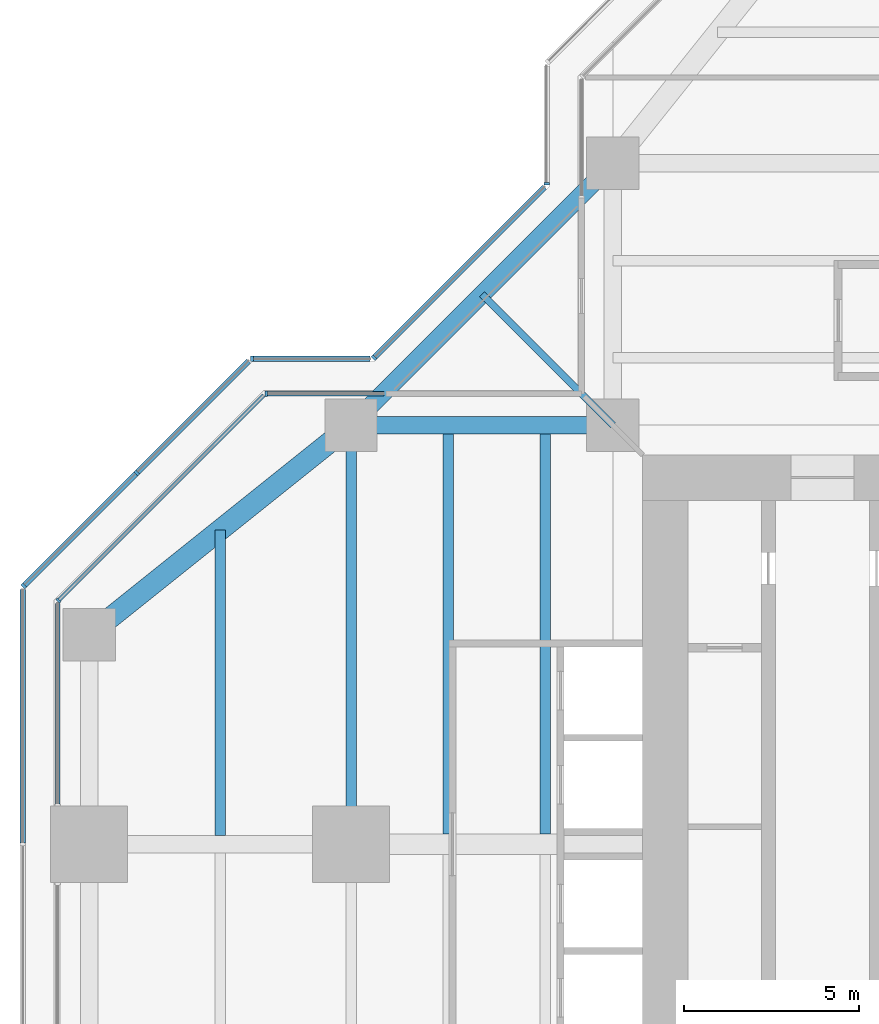
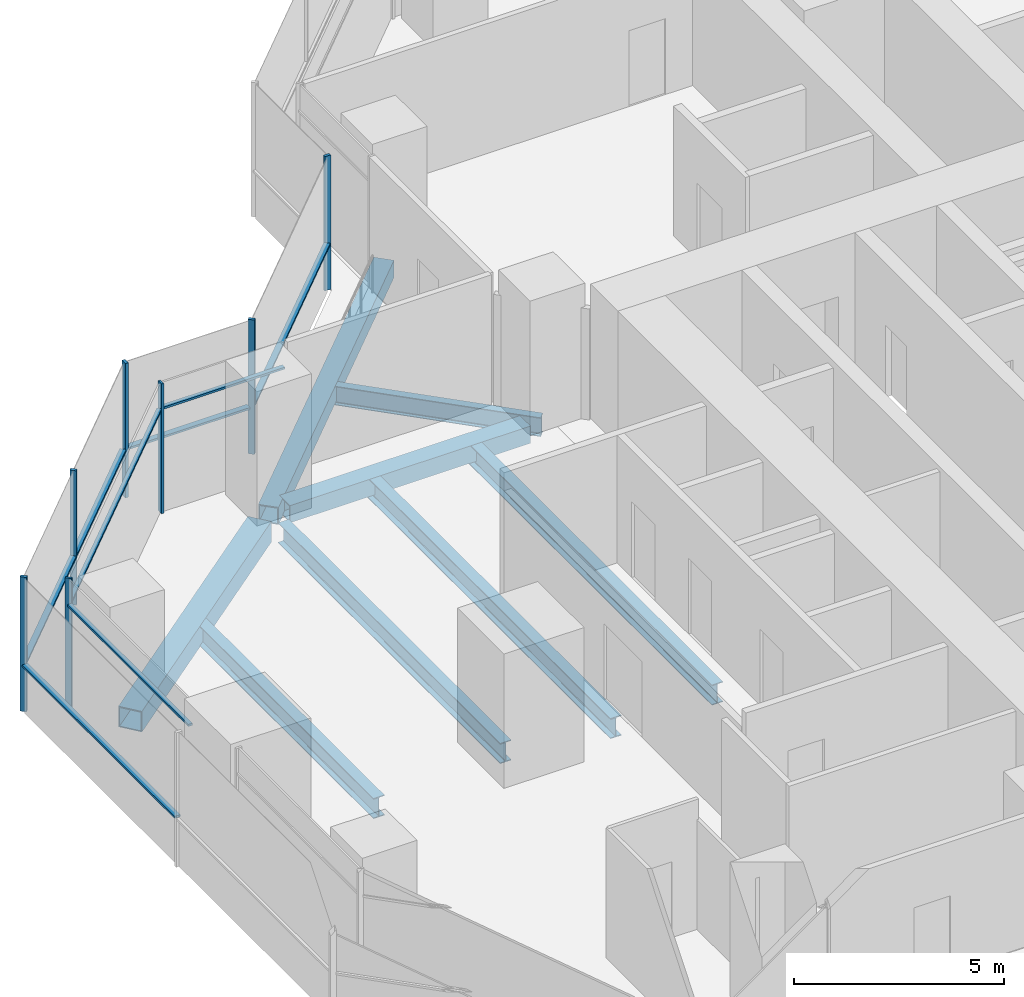
# One storey, part 6 of 17: 15 members, 8 beams, 8 elements without a shape of their own.
"""IFC4 building model written with IfcOpenShell, lengths in metres."""

from ifc_helpers import new_model, si_unit, direction, frame, origin, origin_2d, place, context, subcontext, project, spatial, rectangle, hollow_rectangle, i_section, extrude, material, material_profile, profile_set, type_object, element, aggregate, save


model = new_model("IFC4")

# Units and contexts
model_context = context("Model", 3, precision=1e-05, world=origin(), true_north=direction((0.0, 1.0)))
body_context = subcontext(model_context, "Body", "Model", "MODEL_VIEW")
ifc_project = project(units=[si_unit("LENGTHUNIT", "METRE"), si_unit("AREAUNIT", "SQUARE_METRE"), si_unit("VOLUMEUNIT", "CUBIC_METRE"), si_unit("PLANEANGLEUNIT", "RADIAN"), si_unit("MASSUNIT", "GRAM", prefix="KILO")], contexts=[model_context])

# Site, building, storey
site_placement = place(None, origin())
site = spatial("IfcSite", under=ifc_project, at=site_placement, CompositionType="ELEMENT")
building_placement = place(site_placement, origin())
building = spatial("IfcBuilding", under=site, at=building_placement, Name="Mizan Broadcast Tower", CompositionType="ELEMENT")
storey_placement = place(building_placement, frame((0.0, 0.0, 232.199951171875)))
storey = spatial("IfcBuildingStorey", under=building, at=storey_placement, Name="L54", CompositionType="ELEMENT", Elevation=232.199951171875)

# Beams
ifc_material_1 = material(Name="Steel S355", Category="steel")
ifc_material_profile_1 = material_profile(ifc_material_1, hollow_rectangle(XDim=0.5, YDim=0.5, WallThickness=0.030029296875, at=origin_2d()), Name="BOX 500x500x30")
ifc_profile_set_1 = profile_set([ifc_material_profile_1], Name="Steel S355")
beam_type_1 = type_object("IfcBeamType", Name="EDGE BEAM BOX 500x500x30", PredefinedType="SPANDREL", material=ifc_profile_set_1)
beam_1_placement = place(storey_placement, frame((-12.449951171875, 12.0, -0.3798828125), z_axis=(-1.0, 0.0, 0.0), x_axis=(0.0, -1.0, 0.0)))
element("IfcBeam", 1, at=beam_1_placement, inside=storey, type_object=beam_type_1, Name="Edge beam BOX 500x500x30 L54 west arm", PredefinedType="SPANDREL", context=body_context, shape_type="SweptSolid", body=[
    extrude(hollow_rectangle(XDim=0.5, YDim=0.5, WallThickness=0.030029296875, at=origin_2d()), origin(), (0.0, 0.0, 1.0), 6.60009765625),
])
beam_2_placement = place(storey_placement, frame((-12.0, 19.5, -0.3798828125), z_axis=(-0.707106781187, -0.707106781187, 0.0), x_axis=(0.707106781187, -0.707106781187, 0.0)))
element("IfcBeam", 2, at=beam_2_placement, inside=storey, type_object=beam_type_1, Name="Winter garden edge beam L54 N", PredefinedType="SPANDREL", context=body_context, shape_type="SweptSolid", body=[
    extrude(hollow_rectangle(XDim=0.5, YDim=0.5, WallThickness=0.030029296875, at=origin_2d()), origin(), (0.0, 0.0, 1.0), 10.606689453125),
])
ifc_material_2 = material(Name="Steel S355", Category="steel")
ifc_material_profile_2 = material_profile(ifc_material_2, hollow_rectangle(XDim=0.60009765625, YDim=0.60009765625, WallThickness=0.030029296875, at=origin_2d()), Name="BOX 600x600x30")
ifc_profile_set_2 = profile_set([ifc_material_profile_2], Name="Steel S355")
beam_type_2 = type_object("IfcBeamType", Name="EDGE BEAM BOX 600x600x30", PredefinedType="SPANDREL", material=ifc_profile_set_2)
beam_3_placement = place(storey_placement, frame((-19.949951171875, 11.639892578125, -0.429931640625), z_axis=(-0.780885717636, -0.624673911726, 0.0), x_axis=(0.624673911726, -0.780885717636, 0.0)))
element("IfcBeam", 3, at=beam_3_placement, inside=storey, type_object=beam_type_2, Name="Edge beam BOX 600x600x30 L54 west arm", PredefinedType="SPANDREL", context=body_context, shape_type="SweptSolid", body=[
    extrude(hollow_rectangle(XDim=0.60009765625, YDim=0.60009765625, WallThickness=0.030029296875, at=origin_2d()), origin(), (0.0, 0.0, 1.0), 8.4521484375),
])
ifc_material_3 = material(Name="Steel S355", Category="steel")
ifc_material_profile_3 = material_profile(ifc_material_3, i_section(OverallWidth=0.300048828125, OverallDepth=0.590087890625, WebThickness=0.012939453125, FlangeThickness=0.02490234375, FilletRadius=0.027099609375, at=origin_2d()), Name="HEA 600")
ifc_profile_set_3 = profile_set([ifc_material_profile_3], Name="Steel S355")
beam_type_3 = type_object("IfcBeamType", Name="GIRDER HEA 600", PredefinedType="BEAM", material=ifc_profile_set_3)
beam_4_placement = place(storey_placement, frame((-19.5, 11.280029296875, -0.425048828125), z_axis=(0.0, -1.0, 0.0), x_axis=(1.0, 0.0, 0.0)))
element("IfcBeam", 4, at=beam_4_placement, inside=storey, type_object=beam_type_3, Name="Girder HEA 600 L54 west arm", PredefinedType="BEAM", context=body_context, shape_type="SweptSolid", body=[
    extrude(i_section(OverallWidth=0.300048828125, OverallDepth=0.590087890625, WebThickness=0.012939453125, FlangeThickness=0.02490234375, FilletRadius=0.027099609375, at=origin_2d()), origin(), (0.0, 0.0, 1.0), 10.56005859375),
])

# Curtain wall, member
ifc_material_4 = material(Name="Aluminium framed glazing", Category="aluminium")
curtain_wall_type_1 = type_object("IfcCurtainWallType", Name="INNER SKIN HIGH ZONE", PredefinedType="USERDEFINED", material=ifc_material_4)
curtain_wall_1_placement = place(storey_placement, origin())
curtain_wall_1 = element("IfcCurtainWall", 5, at=curtain_wall_1_placement, inside=storey, type_object=curtain_wall_type_1, Name="Inner skin high zone L54 W side", ObjectType="INNER SKIN HIGH ZONE", PredefinedType="USERDEFINED")
ifc_material_5 = material(Name="Aluminium, pale anodised", Category="aluminium")
ifc_material_profile_4 = material_profile(ifc_material_5, rectangle(XDim=0.159912109375, YDim=0.06005859375, at=origin_2d()), Name="MULLION 160x60")
ifc_profile_set_4 = profile_set([ifc_material_profile_4], Name="Aluminium, pale anodised")
member_type_1 = type_object("IfcMemberType", Name="INNER SKIN MULLION 60x160", PredefinedType="MULLION", material=ifc_profile_set_4)
member_1_placement = place(storey_placement, frame((-21.928466796875, 12.89990234375, 0.0), z_axis=(0.0, 0.0, 1.0), x_axis=(0.0, -1.0, 0.0)))
member_1 = element("IfcMember", 6, at=member_1_placement, type_object=member_type_1, Name="Inner skin high zone L54 W side mullion 2", PredefinedType="MULLION", context=body_context, shape_type="SweptSolid", body=[
    extrude(rectangle(XDim=0.159912109375, YDim=0.06005859375, at=origin_2d()), origin(), (0.0, 0.0, 1.0), 3.77001953125),
])

curtain_wall_2_placement = place(storey_placement, origin())
curtain_wall_2 = element("IfcCurtainWall", 7, at=curtain_wall_2_placement, inside=storey, type_object=curtain_wall_type_1, Name="Inner skin high zone L54 W chamfer", ObjectType="INNER SKIN HIGH ZONE", PredefinedType="USERDEFINED")
member_2_placement = place(storey_placement, frame((-27.87890625, 6.979736328125, 0.0), z_axis=(0.0, 0.0, 1.0), x_axis=(0.707106781187, -0.707106781187, 0.0)))
member_2 = element("IfcMember", 8, at=member_2_placement, type_object=member_type_1, Name="Inner skin high zone L54 W chamfer mullion 2", PredefinedType="MULLION", context=body_context, shape_type="SweptSolid", body=[
    extrude(rectangle(XDim=0.159912109375, YDim=0.06005859375, at=origin_2d()), origin(), (0.0, 0.0, 1.0), 3.77001953125),
])

# Member
ifc_material_6 = material(Name="Aluminium, pale anodised", Category="aluminium")
ifc_material_profile_5 = material_profile(ifc_material_6, rectangle(XDim=0.1201171875, YDim=0.06005859375, at=origin_2d()), Name="TRANSOM 120x60")
ifc_profile_set_5 = profile_set([ifc_material_profile_5], Name="Aluminium, pale anodised")
member_type_2 = type_object("IfcMemberType", Name="INNER SKIN TRANSOM 60x120", PredefinedType="USERDEFINED", material=ifc_profile_set_5)
member_3_placement = place(storey_placement, frame((-18.56005859375, 12.89990234375, 3.030029296875), z_axis=(-1.0, 0.0, 0.0), x_axis=(0.0, -1.0, 0.0)))
member_3 = element("IfcMember", 9, at=member_3_placement, type_object=member_type_2, Name="Inner skin high zone L54 W side transom 1.1", ObjectType="TRANSOM", PredefinedType="USERDEFINED", context=body_context, shape_type="SweptSolid", body=[
    extrude(rectangle(XDim=0.1201171875, YDim=0.06005859375, at=origin_2d()), origin(), (0.0, 0.0, 1.0), 3.338623046875),
])

aggregate(curtain_wall_1, [member_1, member_3])

member_4_placement = place(storey_placement, frame((-22.0009765625, 12.857666015625, 3.030029296875), z_axis=(-0.707106781187, -0.707106781187, 0.0), x_axis=(0.707106781187, -0.707106781187, 0.0)))
member_4 = element("IfcMember", 10, at=member_4_placement, type_object=member_type_2, Name="Inner skin high zone L54 W chamfer transom 1.1", ObjectType="TRANSOM", PredefinedType="USERDEFINED", context=body_context, shape_type="SweptSolid", body=[
    extrude(rectangle(XDim=0.1201171875, YDim=0.06005859375, at=origin_2d()), origin(), (0.0, 0.0, 1.0), 8.28271484375),
])

aggregate(curtain_wall_2, [member_2, member_4])

# Curtain wall, member
curtain_wall_3_placement = place(storey_placement, origin())
curtain_wall_3 = element("IfcCurtainWall", 11, at=curtain_wall_3_placement, inside=storey, type_object=curtain_wall_type_1, Name="Inner skin high zone L54 W end", ObjectType="INNER SKIN HIGH ZONE", PredefinedType="USERDEFINED")
member_5_placement = place(storey_placement, frame((-27.89990234375, 6.898681640625, 3.030029296875), z_axis=(0.0, -1.0, 0.0), x_axis=(1.0, 0.0, 0.0)))
member_5 = element("IfcMember", 12, at=member_5_placement, type_object=member_type_2, Name="Inner skin high zone L54 W end transom 1.1", ObjectType="TRANSOM", PredefinedType="USERDEFINED", context=body_context, shape_type="SweptSolid", body=[
    extrude(rectangle(XDim=0.1201171875, YDim=0.06005859375, at=origin_2d()), origin(), (0.0, 0.0, 1.0), 5.73876953125),
])
aggregate(curtain_wall_3, [member_5])

ifc_material_7 = material(Name="Aluminium framed glazing", Category="aluminium")
curtain_wall_type_2 = type_object("IfcCurtainWallType", Name="OUTER SKIN", PredefinedType="USERDEFINED", material=ifc_material_7)
curtain_wall_4_placement = place(storey_placement, origin())
curtain_wall_4 = element("IfcCurtainWall", 13, at=curtain_wall_4_placement, inside=storey, type_object=curtain_wall_type_2, Name="Outer skin L54 N side", ObjectType="OUTER SKIN", PredefinedType="USERDEFINED")
ifc_material_8 = material(Name="Aluminium, pale anodised", Category="aluminium")
ifc_material_profile_6 = material_profile(ifc_material_8, rectangle(XDim=0.159912109375, YDim=0.080078125, at=origin_2d()), Name="MULLION 160x80")
ifc_profile_set_6 = profile_set([ifc_material_profile_6], Name="Aluminium, pale anodised")
member_type_3 = type_object("IfcMemberType", Name="OUTER SKIN MULLION 80x160", PredefinedType="MULLION", material=ifc_profile_set_6)
member_6_placement = place(storey_placement, frame((-13.89990234375, 18.912841796875, 0.0), z_axis=(0.0, 0.0, 1.0), x_axis=(1.0, 0.0, 0.0)))
member_6 = element("IfcMember", 14, at=member_6_placement, type_object=member_type_3, Name="Outer skin L54 N side mullion 2", PredefinedType="MULLION", context=body_context, shape_type="SweptSolid", body=[
    extrude(rectangle(XDim=0.159912109375, YDim=0.080078125, at=origin_2d()), origin(), (0.0, 0.0, 1.0), 3.900146484375),
])
aggregate(curtain_wall_4, [member_6])

curtain_wall_5_placement = place(storey_placement, origin())
curtain_wall_5 = element("IfcCurtainWall", 15, at=curtain_wall_5_placement, inside=storey, type_object=curtain_wall_type_2, Name="Outer skin L54 W chamfer", ObjectType="OUTER SKIN", PredefinedType="USERDEFINED")
member_7_placement = place(storey_placement, frame((-18.844482421875, 13.92822265625, 0.0), z_axis=(0.0, 0.0, 1.0), x_axis=(0.707106781187, -0.707106781187, 0.0)))
member_7 = element("IfcMember", 16, at=member_7_placement, type_object=member_type_3, Name="Outer skin L54 W chamfer mullion 2", PredefinedType="MULLION", context=body_context, shape_type="SweptSolid", body=[
    extrude(rectangle(XDim=0.159912109375, YDim=0.080078125, at=origin_2d()), origin(), (0.0, 0.0, 1.0), 3.900146484375),
])

curtain_wall_6_placement = place(storey_placement, origin())
curtain_wall_6 = element("IfcCurtainWall", 17, at=curtain_wall_6_placement, inside=storey, type_object=curtain_wall_type_2, Name="Outer skin L54 W side", ObjectType="OUTER SKIN", PredefinedType="USERDEFINED")
member_8_placement = place(storey_placement, frame((-22.332763671875, 13.89990234375, 0.0), z_axis=(0.0, 0.0, 1.0), x_axis=(0.0, -1.0, 0.0)))
member_8 = element("IfcMember", 18, at=member_8_placement, type_object=member_type_3, Name="Outer skin L54 W side mullion 2", PredefinedType="MULLION", context=body_context, shape_type="SweptSolid", body=[
    extrude(rectangle(XDim=0.159912109375, YDim=0.080078125, at=origin_2d()), origin(), (0.0, 0.0, 1.0), 3.900146484375),
])

# Curtain wall, members
curtain_wall_7_placement = place(storey_placement, origin())
curtain_wall_7 = element("IfcCurtainWall", 19, at=curtain_wall_7_placement, inside=storey, type_object=curtain_wall_type_2, Name="Outer skin L54 W chamfer", ObjectType="OUTER SKIN", PredefinedType="USERDEFINED")
member_9_placement = place(storey_placement, frame((-25.636474609375, 10.636474609375, 0.0), z_axis=(0.0, 0.0, 1.0), x_axis=(0.707106781187, -0.707106781187, 0.0)))
member_9 = element("IfcMember", 20, at=member_9_placement, type_object=member_type_3, Name="Outer skin L54 W chamfer mullion 2", PredefinedType="MULLION", context=body_context, shape_type="SweptSolid", body=[
    extrude(rectangle(XDim=0.159912109375, YDim=0.080078125, at=origin_2d()), origin(), (0.0, 0.0, 1.0), 3.900146484375),
])
member_10_placement = place(storey_placement, frame((-28.871826171875, 7.401123046875, 0.0), z_axis=(0.0, 0.0, 1.0), x_axis=(0.707106781187, -0.707106781187, 0.0)))
member_10 = element("IfcMember", 21, at=member_10_placement, type_object=member_type_3, Name="Outer skin L54 W chamfer mullion 3", PredefinedType="MULLION", context=body_context, shape_type="SweptSolid", body=[
    extrude(rectangle(XDim=0.159912109375, YDim=0.080078125, at=origin_2d()), origin(), (0.0, 0.0, 1.0), 3.900146484375),
])

# Member
ifc_material_9 = material(Name="Aluminium, pale anodised", Category="aluminium")
ifc_material_profile_7 = material_profile(ifc_material_9, rectangle(XDim=0.159912109375, YDim=0.06005859375, at=origin_2d()), Name="TRANSOM 160x60")
ifc_profile_set_7 = profile_set([ifc_material_profile_7], Name="Aluminium, pale anodised")
member_type_4 = type_object("IfcMemberType", Name="OUTER SKIN TRANSOM 60x160", PredefinedType="USERDEFINED", material=ifc_profile_set_7)
member_11_placement = place(storey_placement, frame((-13.95654296875, 18.816162109375, 1.400146484375), z_axis=(-0.707106781187, -0.707106781187, 0.0), x_axis=(0.707106781187, -0.707106781187, 0.0)))
member_11 = element("IfcMember", 22, at=member_11_placement, type_object=member_type_4, Name="Outer skin L54 W chamfer transom 1.1", ObjectType="TRANSOM", PredefinedType="USERDEFINED", context=body_context, shape_type="SweptSolid", body=[
    extrude(rectangle(XDim=0.159912109375, YDim=0.06005859375, at=origin_2d()), origin(), (0.0, 0.0, 1.0), 6.87255859375),
])

aggregate(curtain_wall_5, [member_7, member_11])

member_12_placement = place(storey_placement, frame((-18.952880859375, 13.89990234375, 1.400146484375), z_axis=(-1.0, 0.0, 0.0), x_axis=(0.0, -1.0, 0.0)))
member_12 = element("IfcMember", 23, at=member_12_placement, type_object=member_type_4, Name="Outer skin L54 W side transom 1.1", ObjectType="TRANSOM", PredefinedType="USERDEFINED", context=body_context, shape_type="SweptSolid", body=[
    extrude(rectangle(XDim=0.159912109375, YDim=0.06005859375, at=origin_2d()), origin(), (0.0, 0.0, 1.0), 3.33984375),
])

aggregate(curtain_wall_6, [member_8, member_12])

member_13_placement = place(storey_placement, frame((-22.429443359375, 13.843505859375, 1.400146484375), z_axis=(-0.707106781187, -0.707106781187, 0.0), x_axis=(0.707106781187, -0.707106781187, 0.0)))
member_13 = element("IfcMember", 24, at=member_13_placement, type_object=member_type_4, Name="Outer skin L54 W chamfer transom 1.1", ObjectType="TRANSOM", PredefinedType="USERDEFINED", context=body_context, shape_type="SweptSolid", body=[
    extrude(rectangle(XDim=0.159912109375, YDim=0.06005859375, at=origin_2d()), origin(), (0.0, 0.0, 1.0), 4.495361328125),
])

member_14_placement = place(storey_placement, frame((-25.664794921875, 10.608154296875, 1.400146484375), z_axis=(-0.707106781187, -0.707106781187, 0.0), x_axis=(0.707106781187, -0.707106781187, 0.0)))
member_14 = element("IfcMember", 25, at=member_14_placement, type_object=member_type_4, Name="Outer skin L54 W chamfer transom 2.1", ObjectType="TRANSOM", PredefinedType="USERDEFINED", context=body_context, shape_type="SweptSolid", body=[
    extrude(rectangle(XDim=0.159912109375, YDim=0.06005859375, at=origin_2d()), origin(), (0.0, 0.0, 1.0), 4.495361328125),
])

aggregate(curtain_wall_7, [member_9, member_10, member_13, member_14])

# Curtain wall, member
curtain_wall_8_placement = place(storey_placement, origin())
curtain_wall_8 = element("IfcCurtainWall", 26, at=curtain_wall_8_placement, inside=storey, type_object=curtain_wall_type_2, Name="Outer skin L54 W end", ObjectType="OUTER SKIN", PredefinedType="USERDEFINED")
member_15_placement = place(storey_placement, frame((-28.89990234375, 7.292724609375, 1.400146484375), z_axis=(0.0, -1.0, 0.0), x_axis=(1.0, 0.0, 0.0)))
member_15 = element("IfcMember", 27, at=member_15_placement, type_object=member_type_4, Name="Outer skin L54 W end transom 1.1", ObjectType="TRANSOM", PredefinedType="USERDEFINED", context=body_context, shape_type="SweptSolid", body=[
    extrude(rectangle(XDim=0.159912109375, YDim=0.06005859375, at=origin_2d()), origin(), (0.0, 0.0, 1.0), 7.252685546875),
])
aggregate(curtain_wall_8, [member_15])

# Beams
ifc_material_10 = material(Name="Steel S355", Category="steel")
ifc_material_profile_8 = material_profile(ifc_material_10, i_section(OverallWidth=0.300048828125, OverallDepth=0.590087890625, WebThickness=0.012939453125, FlangeThickness=0.02490234375, FilletRadius=0.027099609375, at=origin_2d()), Name="HEA 600")
ifc_profile_set_8 = profile_set([ifc_material_profile_8], Name="Steel S355")
beam_type_4 = type_object("IfcBeamType", Name="SECONDARY BEAM HEA 600", PredefinedType="JOIST", material=ifc_profile_set_8)
for number, where, z_axis, x_axis, name in (
    (28, (-13.933349609375, 12.0, -0.425048828125), (0.0, -1.0, 0.0), (1.0, 0.0, 0.0), "Secondary beam HEA 600 L54 west arm"),
    (29, (-16.716552734375, 12.0, -0.425048828125), (0.0, -1.0, 0.0), (1.0, 0.0, 0.0), "Secondary beam HEA 600 L54 west arm"),
):
    element("IfcBeam", number, at=place(storey_placement, frame(where, z_axis=z_axis, x_axis=x_axis)), inside=storey, type_object=beam_type_4, Name=name, PredefinedType="JOIST", context=body_context, shape_type="SweptSolid", body=[
        extrude(i_section(OverallWidth=0.300048828125, OverallDepth=0.590087890625, WebThickness=0.012939453125, FlangeThickness=0.02490234375, FilletRadius=0.027099609375, at=origin_2d()), origin(), (0.0, 0.0, 1.0), 11.699951171875),
    ])
beam_5_placement = place(storey_placement, frame((-23.25, 9.0, -0.425048828125), z_axis=(0.0, -1.0, 0.0), x_axis=(1.0, 0.0, 0.0)))
element("IfcBeam", 30, at=beam_5_placement, inside=storey, type_object=beam_type_4, Name="Secondary beam HEA 600 L54 west arm", PredefinedType="JOIST", context=body_context, shape_type="SweptSolid", body=[
    extrude(i_section(OverallWidth=0.300048828125, OverallDepth=0.590087890625, WebThickness=0.012939453125, FlangeThickness=0.02490234375, FilletRadius=0.027099609375, at=origin_2d()), origin(), (0.0, 0.0, 1.0), 8.75),
])
ifc_material_11 = material(Name="Steel S355", Category="steel")
ifc_material_profile_9 = material_profile(ifc_material_11, i_section(OverallWidth=0.2099609375, OverallDepth=0.550048828125, WebThickness=0.010986328125, FlangeThickness=0.01708984375, FilletRadius=0.02392578125, at=origin_2d()), Name="IPE 550")
ifc_profile_set_9 = profile_set([ifc_material_profile_9], Name="Steel S355")
beam_type_5 = type_object("IfcBeamType", Name="SECONDARY BEAM IPE 550", PredefinedType="JOIST", material=ifc_profile_set_9)
beam_6_placement = place(storey_placement, frame((-12.0, 12.0, -0.405029296875), z_axis=(-0.707106781187, 0.707106781187, 0.0), x_axis=(-0.707106781187, -0.707106781187, 0.0)))
element("IfcBeam", 31, at=beam_6_placement, inside=storey, type_object=beam_type_5, Name="Winter garden beam L54 N", PredefinedType="JOIST", context=body_context, shape_type="SweptSolid", body=[
    extrude(i_section(OverallWidth=0.2099609375, OverallDepth=0.550048828125, WebThickness=0.010986328125, FlangeThickness=0.01708984375, FilletRadius=0.02392578125, at=origin_2d()), origin(), (0.0, 0.0, 1.0), 5.30322265625),
])

save(model, "model.ifc")
